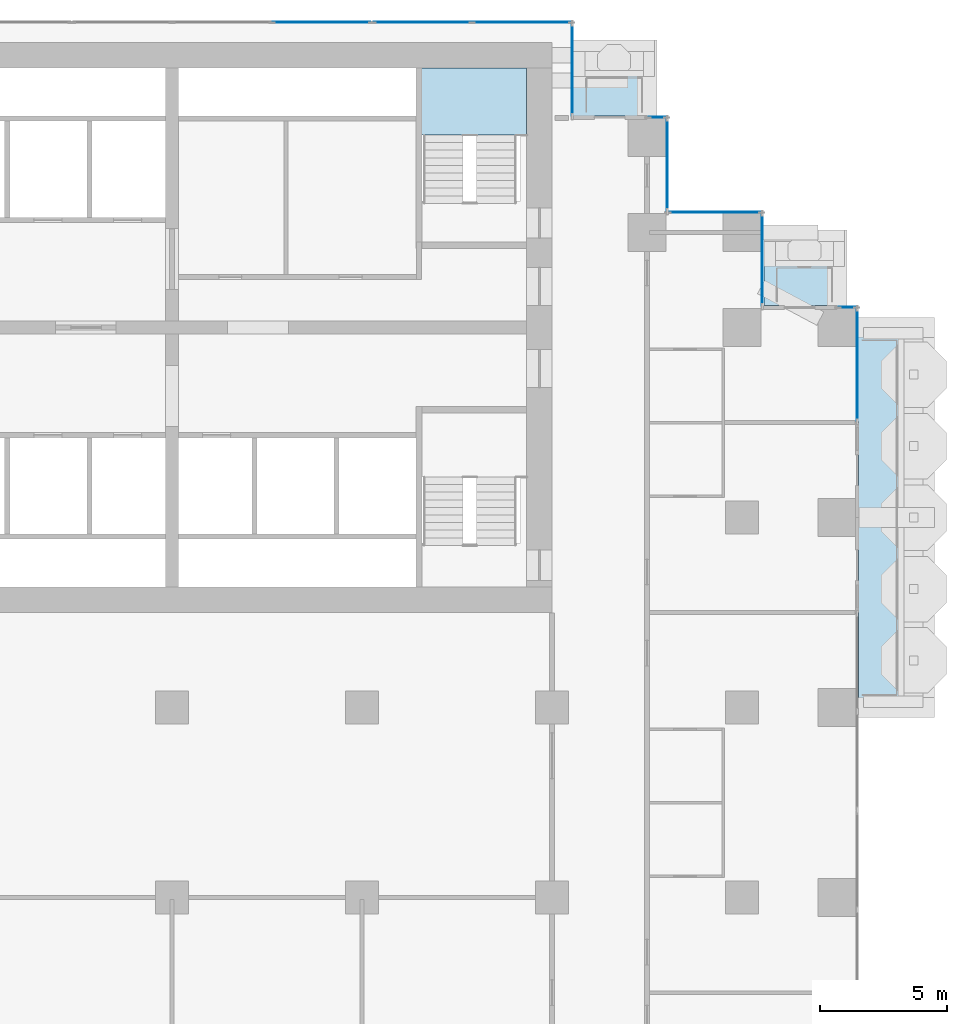
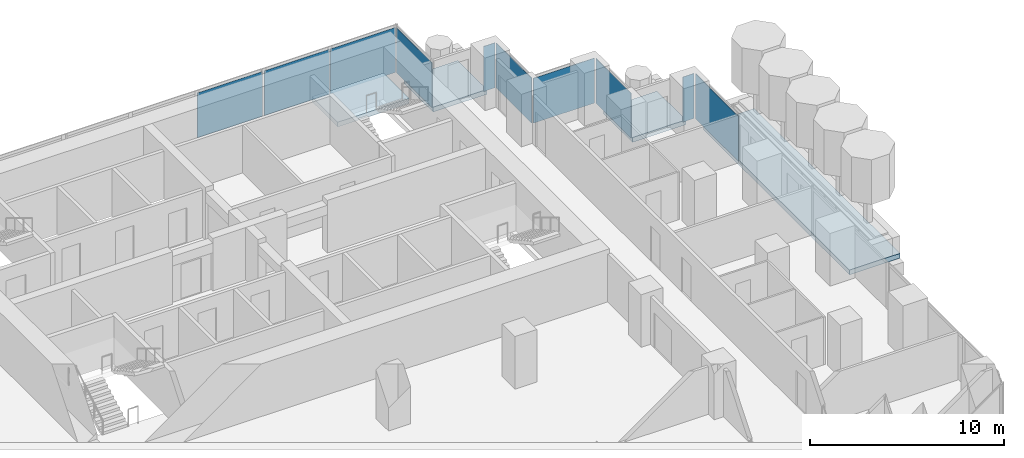
# One storey, part 10 of 19: 10 plates, 4 slabs, 10 elements without a shape of their own.
"""IFC4 building model written with IfcOpenShell, lengths in metres."""

from ifc_helpers import new_model, si_unit, direction, frame, origin, origin_2d, place, context, subcontext, project, spatial, polyline, rectangle, outline, extrude, material, layer, layer_set, type_object, element, aggregate, save


model = new_model("IFC4")

# Units and contexts
model_context = context("Model", 3, precision=1e-05, world=origin(), true_north=direction((0.0, 1.0)))
body_context = subcontext(model_context, "Body", "Model", "MODEL_VIEW")
ifc_project = project(units=[si_unit("LENGTHUNIT", "METRE"), si_unit("AREAUNIT", "SQUARE_METRE"), si_unit("VOLUMEUNIT", "CUBIC_METRE"), si_unit("PLANEANGLEUNIT", "RADIAN"), si_unit("MASSUNIT", "GRAM", prefix="KILO")], contexts=[model_context])

# Site, building, storey
site_placement = place(None, origin())
site = spatial("IfcSite", under=ifc_project, at=site_placement, CompositionType="ELEMENT")
building_placement = place(site_placement, origin())
building = spatial("IfcBuilding", under=site, at=building_placement, Name="Pilkhan Gate Tower", CompositionType="ELEMENT")
storey_placement = place(building_placement, frame((0.0, 0.0, 65.89990234375)))
storey = spatial("IfcBuildingStorey", under=building, at=storey_placement, Name="L14", CompositionType="ELEMENT", Elevation=65.89990234375)

# Slabs
ifc_material_1 = material(Name="Concrete C60/75", Category="concrete")
ifc_layer_1 = layer(ifc_material_1, 0.300048828125)
ifc_layer_set_1 = layer_set([ifc_layer_1], Name="Balcony tray slab TR300")
slab_type_1 = type_object("IfcSlabType", Name="Balcony tray slab TR300", PredefinedType="FLOOR", material=ifc_layer_set_1)
slab_1_placement = place(storey_placement, frame((0.0, 0.0, -0.2998046875)))
element("IfcSlab", 1, at=slab_1_placement, inside=storey, type_object=slab_type_1, Name="Balcony tray L14 E", PredefinedType="FLOOR", context=body_context, shape_type="SweptSolid", body=[
    extrude(outline(polyline([(105.10009765625, 67.5), (105.10009765625, 82.5), (102.10009765625, 82.5), (102.10009765625, 67.5), (105.10009765625, 67.5)])), origin(), (0.0, 0.0, 1.0), 0.2998046875),
])
slab_2_placement = place(storey_placement, frame((0.0, 0.0, -0.2998046875)))
element("IfcSlab", 2, at=slab_2_placement, inside=storey, type_object=slab_type_1, Name="Balcony tray L14 N", PredefinedType="FLOOR", context=body_context, shape_type="SweptSolid", body=[
    extrude(outline(polyline([(94.050048828125, 90.85009765625), (94.050048828125, 93.85009765625), (90.85009765625, 93.85009765625), (90.85009765625, 90.85009765625), (94.050048828125, 90.85009765625)])), origin(), (0.0, 0.0, 1.0), 0.2998046875),
])
slab_3_placement = place(storey_placement, frame((0.0, 0.0, -0.2998046875)))
element("IfcSlab", 3, at=slab_3_placement, inside=storey, type_object=slab_type_1, Name="Balcony tray L14 N", PredefinedType="FLOOR", context=body_context, shape_type="SweptSolid", body=[
    extrude(outline(polyline([(101.550048828125, 83.3701171875), (101.550048828125, 86.35009765625), (98.3701171875, 86.35009765625), (98.3701171875, 83.3701171875), (101.550048828125, 83.3701171875)])), origin(), (0.0, 0.0, 1.0), 0.2998046875),
])

# Curtain wall, plate
ifc_material_2 = material(Name="Pale anodised aluminium, clear low-iron double glazing", Category="aluminium")
curtain_wall_type = type_object("IfcCurtainWallType", Name="Hotel unitised curtain wall CW-H", PredefinedType="USERDEFINED", material=ifc_material_2)
curtain_wall_1_placement = place(storey_placement, origin())
curtain_wall_1 = element("IfcCurtainWall", 4, at=curtain_wall_1_placement, inside=storey, type_object=curtain_wall_type, Name="Hotel unitised curtain wall CW-H L14 E", ObjectType="UNITISED CURTAIN WALL", PredefinedType="USERDEFINED")
ifc_material_3 = material(Name="Clear low-iron double glazing", Category="glass")
ifc_layer_2 = layer(ifc_material_3, 0.035888671875)
ifc_layer_set_2 = layer_set([ifc_layer_2], Name="Glass panel CW-H 36")
plate_type = type_object("IfcPlateType", Name="Glass panel CW-H 36", PredefinedType="CURTAIN_PANEL", material=ifc_layer_set_2)
plate_1_placement = place(storey_placement, frame((102.044921875, 81.0224609375, 0.0), z_axis=(0.0, 0.0, 1.0), x_axis=(0.0, 1.0, 0.0)))
plate_1 = element("IfcPlate", 5, at=plate_1_placement, type_object=plate_type, Name="CW-H panel 1", PredefinedType="CURTAIN_PANEL", context=body_context, shape_type="SweptSolid", body=[
    extrude(rectangle(XDim=4.4150390625, YDim=0.035888671875, at=origin_2d()), origin(), (0.0, 0.0, 1.0), 2.820068359375),
])
aggregate(curtain_wall_1, [plate_1])

curtain_wall_2_placement = place(storey_placement, origin())
curtain_wall_2 = element("IfcCurtainWall", 6, at=curtain_wall_2_placement, inside=storey, type_object=curtain_wall_type, Name="Hotel unitised curtain wall CW-H L14 N", ObjectType="UNITISED CURTAIN WALL", PredefinedType="USERDEFINED")
plate_2_placement = place(storey_placement, frame((101.6474609375, 83.294921875, 0.0), z_axis=(0.0, 0.0, 1.0), x_axis=(1.0, 0.0, 0.0)))
plate_2 = element("IfcPlate", 7, at=plate_2_placement, type_object=plate_type, Name="CW-H panel 1", PredefinedType="CURTAIN_PANEL", context=body_context, shape_type="SweptSolid", body=[
    extrude(rectangle(XDim=0.6650390625, YDim=0.035888671875, at=origin_2d()), origin(), (0.0, 0.0, 1.0), 2.820068359375),
])
aggregate(curtain_wall_2, [plate_2])

curtain_wall_3_placement = place(storey_placement, origin())
curtain_wall_3 = element("IfcCurtainWall", 8, at=curtain_wall_3_placement, inside=storey, type_object=curtain_wall_type, Name="Hotel unitised curtain wall CW-H L14 E", ObjectType="UNITISED CURTAIN WALL", PredefinedType="USERDEFINED")
plate_3_placement = place(storey_placement, frame((98.294921875, 85.169921875, 0.0), z_axis=(0.0, 0.0, 1.0), x_axis=(0.0, 1.0, 0.0)))
plate_3 = element("IfcPlate", 9, at=plate_3_placement, type_object=plate_type, Name="CW-H panel 1", PredefinedType="CURTAIN_PANEL", context=body_context, shape_type="SweptSolid", body=[
    extrude(rectangle(XDim=3.6201171875, YDim=0.035888671875, at=origin_2d()), origin(), (0.0, 0.0, 1.0), 2.820068359375),
])
aggregate(curtain_wall_3, [plate_3])

curtain_wall_4_placement = place(storey_placement, origin())
curtain_wall_4 = element("IfcCurtainWall", 10, at=curtain_wall_4_placement, inside=storey, type_object=curtain_wall_type, Name="Hotel unitised curtain wall CW-H L14 N", ObjectType="UNITISED CURTAIN WALL", PredefinedType="USERDEFINED")
plate_4_placement = place(storey_placement, frame((96.419921875, 87.044921875, 0.0), z_axis=(0.0, 0.0, 1.0), x_axis=(1.0, 0.0, 0.0)))
plate_4 = element("IfcPlate", 11, at=plate_4_placement, type_object=plate_type, Name="CW-H panel 1", PredefinedType="CURTAIN_PANEL", context=body_context, shape_type="SweptSolid", body=[
    extrude(rectangle(XDim=3.6201171875, YDim=0.035888671875, at=origin_2d()), origin(), (0.0, 0.0, 1.0), 2.820068359375),
])
aggregate(curtain_wall_4, [plate_4])

curtain_wall_5_placement = place(storey_placement, origin())
curtain_wall_5 = element("IfcCurtainWall", 12, at=curtain_wall_5_placement, inside=storey, type_object=curtain_wall_type, Name="Hotel unitised curtain wall CW-H L14 E", ObjectType="UNITISED CURTAIN WALL", PredefinedType="USERDEFINED")
plate_5_placement = place(storey_placement, frame((94.544921875, 88.919921875, 0.0), z_axis=(0.0, 0.0, 1.0), x_axis=(0.0, 1.0, 0.0)))
plate_5 = element("IfcPlate", 13, at=plate_5_placement, type_object=plate_type, Name="CW-H panel 1", PredefinedType="CURTAIN_PANEL", context=body_context, shape_type="SweptSolid", body=[
    extrude(rectangle(XDim=3.6201171875, YDim=0.035888671875, at=origin_2d()), origin(), (0.0, 0.0, 1.0), 2.820068359375),
])
aggregate(curtain_wall_5, [plate_5])

curtain_wall_6_placement = place(storey_placement, origin())
curtain_wall_6 = element("IfcCurtainWall", 14, at=curtain_wall_6_placement, inside=storey, type_object=curtain_wall_type, Name="Hotel unitised curtain wall CW-H L14 N", ObjectType="UNITISED CURTAIN WALL", PredefinedType="USERDEFINED")
plate_6_placement = place(storey_placement, frame((94.1474609375, 90.794921875, 0.0), z_axis=(0.0, 0.0, 1.0), x_axis=(1.0, 0.0, 0.0)))
plate_6 = element("IfcPlate", 15, at=plate_6_placement, type_object=plate_type, Name="CW-H panel 1", PredefinedType="CURTAIN_PANEL", context=body_context, shape_type="SweptSolid", body=[
    extrude(rectangle(XDim=0.6650390625, YDim=0.035888671875, at=origin_2d()), origin(), (0.0, 0.0, 1.0), 2.820068359375),
])
aggregate(curtain_wall_6, [plate_6])

curtain_wall_7_placement = place(storey_placement, origin())
curtain_wall_7 = element("IfcCurtainWall", 16, at=curtain_wall_7_placement, inside=storey, type_object=curtain_wall_type, Name="Hotel unitised curtain wall CW-H L14 E", ObjectType="UNITISED CURTAIN WALL", PredefinedType="USERDEFINED")
plate_7_placement = place(storey_placement, frame((90.794921875, 92.669921875, 0.0), z_axis=(0.0, 0.0, 1.0), x_axis=(0.0, 1.0, 0.0)))
plate_7 = element("IfcPlate", 17, at=plate_7_placement, type_object=plate_type, Name="CW-H panel 1", PredefinedType="CURTAIN_PANEL", context=body_context, shape_type="SweptSolid", body=[
    extrude(rectangle(XDim=3.6201171875, YDim=0.035888671875, at=origin_2d()), origin(), (0.0, 0.0, 1.0), 2.820068359375),
])
aggregate(curtain_wall_7, [plate_7])

curtain_wall_8_placement = place(storey_placement, origin())
curtain_wall_8 = element("IfcCurtainWall", 18, at=curtain_wall_8_placement, inside=storey, type_object=curtain_wall_type, Name="Hotel unitised curtain wall CW-H L14 N", ObjectType="UNITISED CURTAIN WALL", PredefinedType="USERDEFINED")
plate_8_placement = place(storey_placement, frame((80.906982421875, 94.544921875, 0.0), z_axis=(0.0, 0.0, 1.0), x_axis=(1.0, 0.0, 0.0)))
plate_8 = element("IfcPlate", 19, at=plate_8_placement, type_object=plate_type, Name="CW-H panel 3", PredefinedType="CURTAIN_PANEL", context=body_context, shape_type="SweptSolid", body=[
    extrude(rectangle(XDim=3.851318359375, YDim=0.035888671875, at=origin_2d()), origin(), (0.0, 0.0, 1.0), 2.820068359375),
])
aggregate(curtain_wall_8, [plate_8])

# Curtain wall, plates
curtain_wall_9_placement = place(storey_placement, origin())
curtain_wall_9 = element("IfcCurtainWall", 20, at=curtain_wall_9_placement, inside=storey, type_object=curtain_wall_type, Name="Hotel unitised curtain wall CW-H L14 N", ObjectType="UNITISED CURTAIN WALL", PredefinedType="USERDEFINED")
plate_9_placement = place(storey_placement, frame((84.88818359375, 94.544921875, 0.0), z_axis=(0.0, 0.0, 1.0), x_axis=(1.0, 0.0, 0.0)))
plate_9 = element("IfcPlate", 21, at=plate_9_placement, type_object=plate_type, Name="CW-H panel 1", PredefinedType="CURTAIN_PANEL", context=body_context, shape_type="SweptSolid", body=[
    extrude(rectangle(XDim=3.851318359375, YDim=0.035888671875, at=origin_2d()), origin(), (0.0, 0.0, 1.0), 2.820068359375),
])
plate_10_placement = place(storey_placement, frame((88.804443359375, 94.544921875, 0.0), z_axis=(0.0, 0.0, 1.0), x_axis=(1.0, 0.0, 0.0)))
plate_10 = element("IfcPlate", 22, at=plate_10_placement, type_object=plate_type, Name="CW-H panel 2", PredefinedType="CURTAIN_PANEL", context=body_context, shape_type="SweptSolid", body=[
    extrude(rectangle(XDim=3.851318359375, YDim=0.035888671875, at=origin_2d()), origin(), (0.0, 0.0, 1.0), 2.820068359375),
])
aggregate(curtain_wall_9, [plate_9, plate_10])

# Stair, slab
ifc_material_4 = material(Name="Concrete C40/50 precast", Category="concrete")
stair_type = type_object("IfcStairType", Name="Stair ST4 165x300", PredefinedType="HALF_TURN_STAIR", material=ifc_material_4)
stair_placement = place(storey_placement, origin())
stair = element("IfcStair", 23, at=stair_placement, inside=storey, type_object=stair_type, Name="Stair ST4 L14", PredefinedType="HALF_TURN_STAIR")
ifc_material_5 = material(Name="Concrete C40/50", Category="concrete")
ifc_layer_3 = layer(ifc_material_5, 0.199951171875)
ifc_layer_set_3 = layer_set([ifc_layer_3], Name="Stair landing SL200")
slab_type_2 = type_object("IfcSlabType", Name="Stair landing SL200", PredefinedType="LANDING", material=ifc_layer_set_3)
slab_4_placement = place(storey_placement, frame((0.0, 0.0, 1.35009765625)))
slab_4 = element("IfcSlab", 24, at=slab_4_placement, type_object=slab_type_2, Name="ST4 landing 1", PredefinedType="LANDING", context=body_context, shape_type="SweptSolid", body=[
    extrude(outline(polyline([(89.0, 90.10009765625), (89.0, 92.75), (84.75, 92.75), (84.75, 90.10009765625), (89.0, 90.10009765625)])), origin(), (0.0, 0.0, 1.0), 0.300048828125),
])
aggregate(stair, [slab_4])

save(model, "model.ifc")
